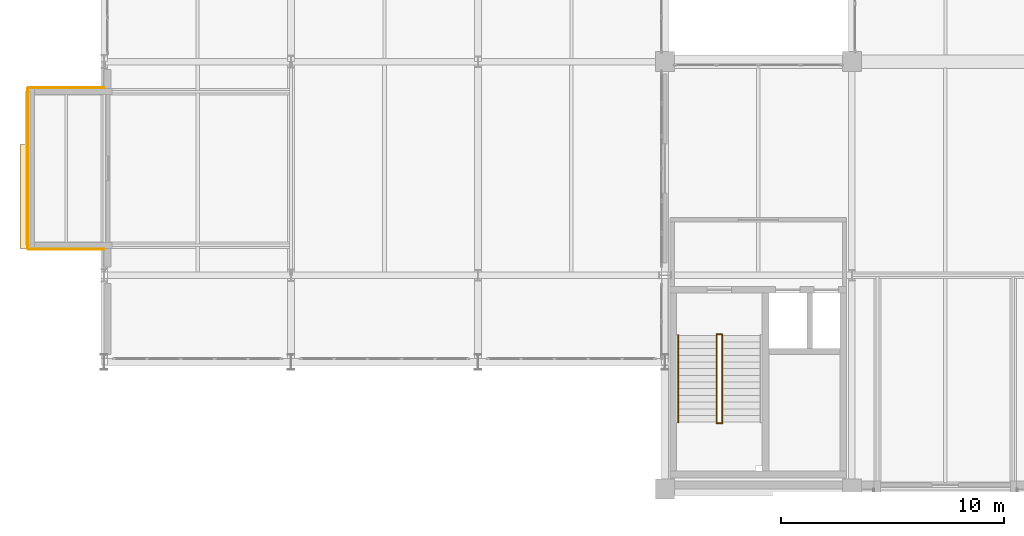
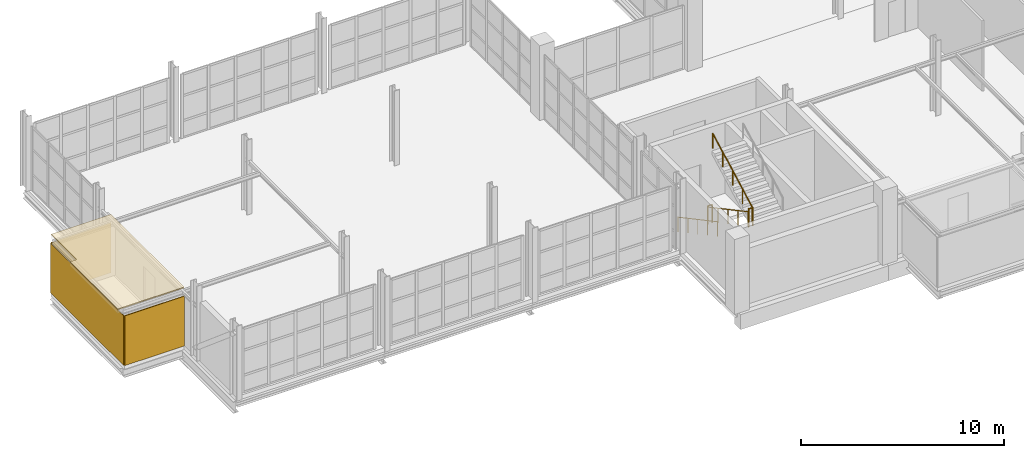
# One storey, part 102 of 109: 5 railings, 4 coverings.
"""IFC4 building model written with IfcOpenShell, lengths in metres."""

from ifc_helpers import new_model, si_unit, direction, frame, frame_2d, origin, origin_2d, place, context, subcontext, project, spatial, polyline, rectangle, circle, outline, extrude, material, layer, layer_set, type_object, element, save


model = new_model("IFC4")

# Units and contexts
model_context = context("Model", 3, precision=1e-05, world=origin(), true_north=direction((0.0, 1.0)))
body_context = subcontext(model_context, "Body", "Model", "MODEL_VIEW")
ifc_project = project(units=[si_unit("LENGTHUNIT", "METRE"), si_unit("AREAUNIT", "SQUARE_METRE"), si_unit("VOLUMEUNIT", "CUBIC_METRE"), si_unit("PLANEANGLEUNIT", "RADIAN"), si_unit("MASSUNIT", "GRAM", prefix="KILO")], contexts=[model_context])

# Site, building, storey
site_placement = place(None, origin())
site = spatial("IfcSite", under=ifc_project, at=site_placement, CompositionType="ELEMENT")
building_placement = place(site_placement, origin())
building = spatial("IfcBuilding", under=site, at=building_placement, Name="Veltarok Museum of Natural Sciences", CompositionType="ELEMENT")
storey_placement = place(building_placement, frame((0.0, 0.0, 17.39990234375)))
storey = spatial("IfcBuildingStorey", under=building, at=storey_placement, Name="L03", CompositionType="ELEMENT", Elevation=17.39990234375)

# Coverings
ifc_material_1 = material(Name="Corrugated zinc cladding")
ifc_layer_1 = layer(ifc_material_1, 0.044921875)
ifc_layer_set_1 = layer_set([ifc_layer_1], Name="Corrugated zinc cladding")
covering_type_1 = type_object("IfcCoveringType", Name="Corrugated Titanium-Zinc Rainscreen Cladding 45", PredefinedType="CLADDING", material=ifc_layer_set_1)
covering_1_placement = place(storey_placement, frame((2.97802734375, 18.0, 0.0), z_axis=(0.0, 0.0, 1.0), x_axis=(0.0, -1.0, 0.0)))
element("IfcCovering", 1, at=covering_1_placement, inside=storey, type_object=covering_type_1, Name="Corrugated Zinc Cladding DB-33-W", PredefinedType="CLADDING", context=body_context, shape_type="SweptSolid", body=[
    extrude(rectangle(XDim=7.199951171875, YDim=0.044921875, at=frame_2d((3.60009765625, 0.0))), origin(), (0.0, 0.0, 1.0), 2.989990234375),
])
for number, where, z_axis, x_axis, name in (
    (2, (3.0, 10.778076171875, 0.0), (0.0, 0.0, 1.0), (1.0, 0.0, 0.0), "Corrugated Zinc Cladding DB-33-S"),
    (3, (6.39990234375, 18.02197265625, 0.0), (0.0, 0.0, 1.0), (-1.0, 0.0, 0.0), "Corrugated Zinc Cladding DB-33-N"),
):
    element("IfcCovering", number, at=place(storey_placement, frame(where, z_axis=z_axis, x_axis=x_axis)), inside=storey, type_object=covering_type_1, Name=name, PredefinedType="CLADDING", context=body_context, shape_type="SweptSolid", body=[
        extrude(rectangle(XDim=3.39990234375, YDim=0.044921875, at=frame_2d((1.699951171875, 0.0))), origin(), (0.0, 0.0, 1.0), 2.989990234375),
    ])
ifc_material_2 = material(Name="EPDM waterproofing membrane")
ifc_layer_2 = layer(ifc_material_2, 0.06005859375)
ifc_layer_set_2 = layer_set([ifc_layer_2], Name="EPDM waterproofing membrane")
covering_type_2 = type_object("IfcCoveringType", Name="EPDM Waterproofing and Acoustic Roof Membrane 60", PredefinedType="ROOFING", material=ifc_layer_set_2)
covering_2_placement = place(storey_placement, frame((0.0, 0.0, 3.4501953125)))
element("IfcCovering", 4, at=covering_2_placement, inside=storey, type_object=covering_type_2, Name="Cabinet Box Roof Membrane DB-33", PredefinedType="ROOFING", context=body_context, shape_type="SweptSolid", body=[
    extrude(outline(polyline([(2.6201171875, 10.800048828125), (6.39990234375, 10.800048828125), (6.39990234375, 18.0), (3.0, 18.0), (3.0, 15.47998046875), (2.6201171875, 15.47998046875), (2.6201171875, 10.800048828125)])), origin(), (0.0, 0.0, 1.0), 0.059814453125),
])

# Railings
ifc_material_3 = material(Name="Steel S355J2", Category="steel")
railing_type_1 = type_object("IfcRailingType", Name="Interior Atrium and Stairwell Guardrail 1100", PredefinedType="GUARDRAIL", material=ifc_material_3)
for number, where, name in (
    (5, (33.929931640625, 6.949951171875, 0.0), "Stairwell Floor Guard ST-01 L03"),
    (6, (33.929931640625, 2.93994140625, 2.25), "Landing Well Guard ST-01-L03-L1"),
):
    element("IfcRailing", number, at=place(storey_placement, frame(where)), inside=storey, type_object=railing_type_1, Name=name, PredefinedType="GUARDRAIL", context=body_context, shape_type="SweptSolid", body=[
        extrude(circle(Radius=0.02392578125, at=origin_2d()), frame((0.0, 0.0, 1.076171875), z_axis=(1.0, 0.0, 0.0), x_axis=(0.0, 1.0, 0.0)), (0.0, 0.0, 1.0), 0.239990234375),
        extrude(circle(Radius=0.02099609375, at=origin_2d()), origin(), (0.0, 0.0, 1.0), 1.052001953125),
        extrude(circle(Radius=0.02099609375, at=origin_2d()), frame((0.239990234375, 0.0, 0.0)), (0.0, 0.0, 1.0), 1.052001953125),
    ])
railing_type_2 = type_object("IfcRailingType", Name="Stair Flight Tubular Steel Handrail 900", PredefinedType="HANDRAIL", material=ifc_material_3)
for number, where, name in (
    (7, (32.199951171875, 6.89990234375, 0.160888671875), "Stair Handrail ST-01-L03-F1L"),
    (8, (33.919921875, 6.89990234375, 0.160888671875), "Stair Handrail ST-01-L03-F1R"),
):
    element("IfcRailing", number, at=place(storey_placement, frame(where)), inside=storey, type_object=railing_type_2, Name=name, PredefinedType="HANDRAIL", context=body_context, shape_type="SweptSolid", body=[
        extrude(circle(Radius=0.02392578125, at=origin_2d()), frame((0.0, 0.0, 0.8759765625), z_axis=(0.0, -0.881491454809, 0.472199973632), x_axis=(1.0, 0.0, 0.0)), (0.0, 0.0, 1.0), 4.42431640625),
        extrude(circle(Radius=0.02099609375, at=origin_2d()), origin(), (0.0, 0.0, 1.0), 0.851806640625),
        extrude(circle(Radius=0.02099609375, at=origin_2d()), frame((0.0, -0.97509765625, 0.522216796875)), (0.0, 0.0, 1.0), 0.851806640625),
        extrude(circle(Radius=0.02099609375, at=origin_2d()), frame((0.0, -1.949951171875, 1.04443359375)), (0.0, 0.0, 1.0), 0.851806640625),
        extrude(circle(Radius=0.02099609375, at=origin_2d()), frame((0.0, -2.9248046875, 1.56689453125)), (0.0, 0.0, 1.0), 0.851806640625),
        extrude(circle(Radius=0.02099609375, at=origin_2d()), frame((0.0, -3.89990234375, 2.089111328125)), (0.0, 0.0, 1.0), 0.851806640625),
    ])
railing_placement = place(storey_placement, frame((34.179931640625, 3.0, 2.410888671875)))
element("IfcRailing", 9, at=railing_placement, inside=storey, type_object=railing_type_2, Name="Stair Handrail ST-01-L03-F2L", PredefinedType="HANDRAIL", context=body_context, shape_type="SweptSolid", body=[
    extrude(circle(Radius=0.02392578125, at=origin_2d()), frame((0.0, 0.0, 0.8759765625), z_axis=(0.0, 0.881491454809, 0.472199973632), x_axis=(-1.0, 0.0, 0.0)), (0.0, 0.0, 1.0), 4.42431640625),
    extrude(circle(Radius=0.02099609375, at=origin_2d()), origin(), (0.0, 0.0, 1.0), 0.851806640625),
    extrude(circle(Radius=0.02099609375, at=origin_2d()), frame((0.0, 0.97509765625, 0.522216796875)), (0.0, 0.0, 1.0), 0.851806640625),
    extrude(circle(Radius=0.02099609375, at=origin_2d()), frame((0.0, 1.949951171875, 1.04443359375)), (0.0, 0.0, 1.0), 0.851806640625),
    extrude(circle(Radius=0.02099609375, at=origin_2d()), frame((0.0, 2.9248046875, 1.56689453125)), (0.0, 0.0, 1.0), 0.851806640625),
    extrude(circle(Radius=0.02099609375, at=origin_2d()), frame((0.0, 3.89990234375, 2.089111328125)), (0.0, 0.0, 1.0), 0.851806640625),
])

save(model, "model.ifc")
